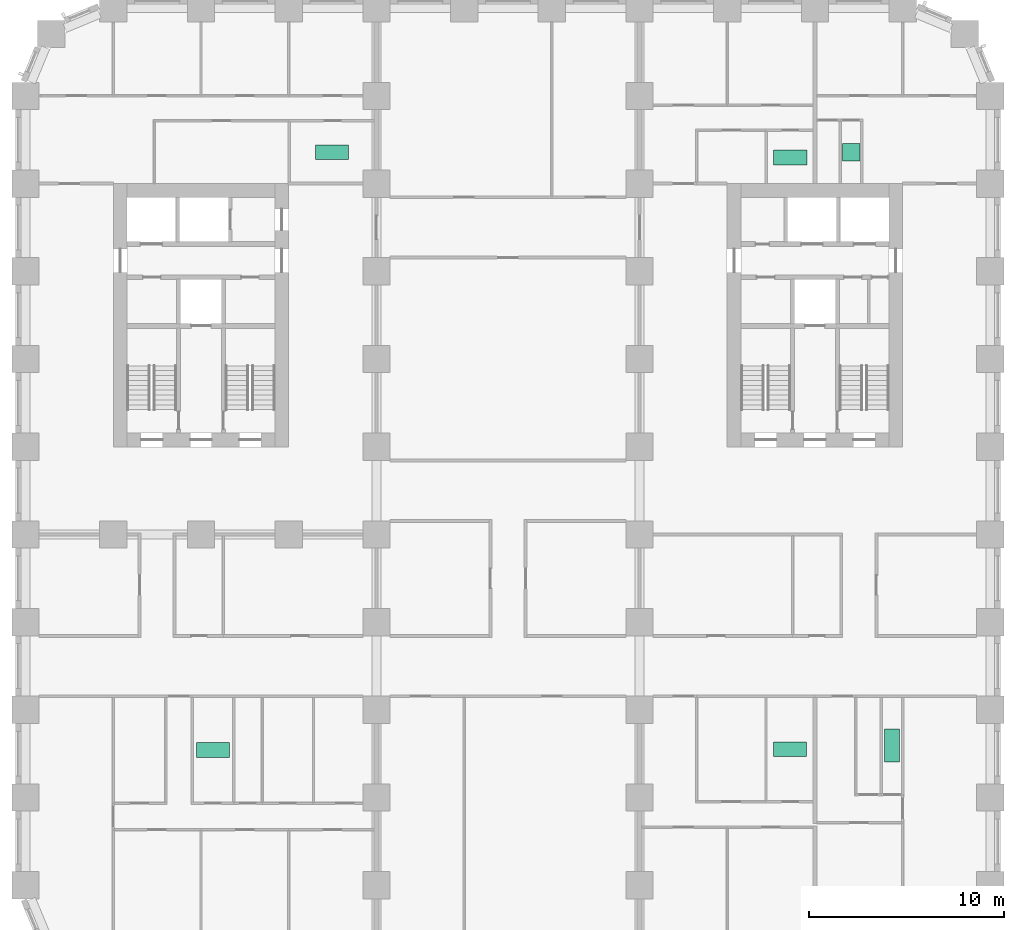
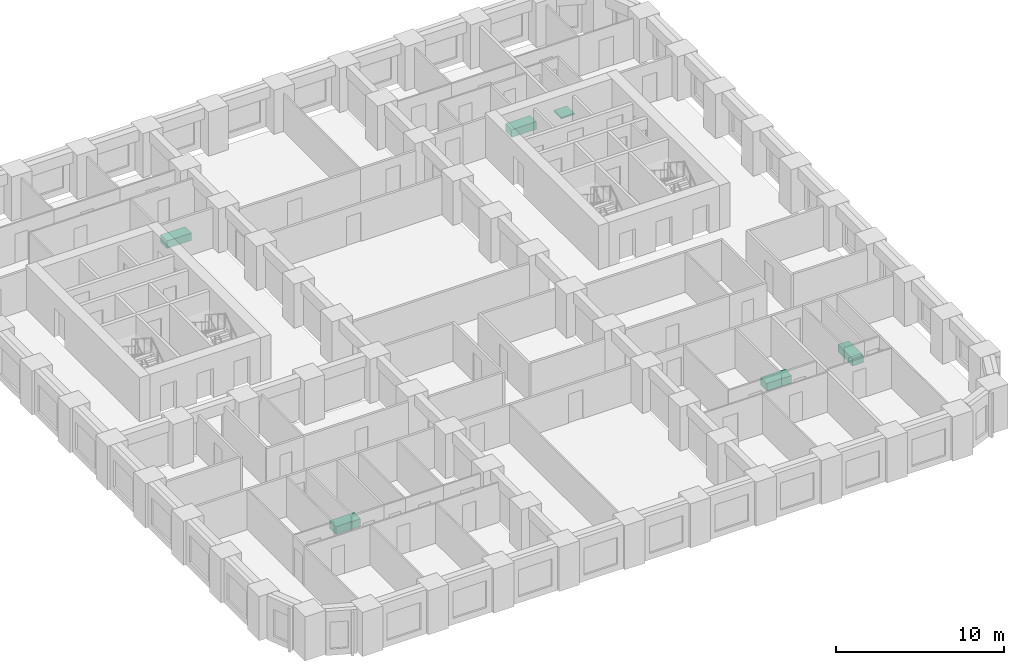
# One storey, part 12 of 12: 6 sanitary terminals.
"""IFC4 building model written with IfcOpenShell, lengths in metres."""

from ifc_helpers import new_model, si_unit, direction, frame, origin, origin_2d, place, context, subcontext, project, spatial, rectangle, extrude, material, type_object, element, save


model = new_model("IFC4")

# Units and contexts
model_context = context("Model", 3, precision=1e-05, world=origin(), true_north=direction((0.0, 1.0)))
body_context = subcontext(model_context, "Body", "Model", "MODEL_VIEW")
ifc_project = project(units=[si_unit("LENGTHUNIT", "METRE"), si_unit("AREAUNIT", "SQUARE_METRE"), si_unit("VOLUMEUNIT", "CUBIC_METRE"), si_unit("PLANEANGLEUNIT", "RADIAN"), si_unit("MASSUNIT", "GRAM", prefix="KILO")], contexts=[model_context])

# Site, building, storey
site_placement = place(None, origin())
site = spatial("IfcSite", under=ifc_project, at=site_placement, CompositionType="ELEMENT")
building_placement = place(site_placement, origin())
building = spatial("IfcBuilding", under=site, at=building_placement, Name="Girih Gate Residences", CompositionType="ELEMENT")
storey_placement = place(building_placement, frame((0.0, 0.0, 65.60009765625)))
storey = spatial("IfcBuildingStorey", under=building, at=storey_placement, Name="L17", CompositionType="ELEMENT", Elevation=65.60009765625)

# Sanitary terminals
ifc_material = material(Name="Acrylic")
sanitary_terminal_type_1 = type_object("IfcSanitaryTerminalType", Name="Bath 1700", PredefinedType="BATH", material=ifc_material)
for number, where, z_axis, x_axis, name in (
    (1, (9.616943359375, 11.444091796875, 0.0), (0.0, 0.0, 1.0), (1.0, 0.0, 0.0), "Bath 1700 L17"),
    (2, (15.72802734375, 42.115966796875, 0.0), (0.0, 0.0, 1.0), (1.0, 0.0, 0.0), "Bath 1700 L17"),
):
    element("IfcSanitaryTerminal", number, at=place(storey_placement, frame(where, z_axis=z_axis, x_axis=x_axis)), inside=storey, type_object=sanitary_terminal_type_1, Name=name, PredefinedType="BATH", context=body_context, shape_type="SweptSolid", body=[
        extrude(rectangle(XDim=1.699951171875, YDim=0.75, at=origin_2d()), origin(), (0.0, 0.0, 1.0), 0.550048828125),
    ])
sanitary_terminal_1_placement = place(storey_placement, frame((44.4541015625, 11.6640625, 0.0), z_axis=(0.0, 0.0, 1.0), x_axis=(1.0, 0.0, 0.0)))
element("IfcSanitaryTerminal", 3, at=sanitary_terminal_1_placement, inside=storey, type_object=sanitary_terminal_type_1, Name="Bath 1700 L17", PredefinedType="BATH", context=body_context, shape_type="SweptSolid", body=[
    extrude(rectangle(XDim=0.75, YDim=1.699951171875, at=origin_2d()), origin(), (0.0, 0.0, 1.0), 0.550048828125),
])
for number, where, z_axis, x_axis, name in (
    (4, (39.22509765625, 11.48388671875, 0.0), (0.0, 0.0, 1.0), (1.0, 0.0, 0.0), "Bath 1700 L17"),
    (5, (39.23095703125, 41.843994140625, 0.0), (0.0, 0.0, 1.0), (1.0, 0.0, 0.0), "Bath 1700 L17"),
):
    element("IfcSanitaryTerminal", number, at=place(storey_placement, frame(where, z_axis=z_axis, x_axis=x_axis)), inside=storey, type_object=sanitary_terminal_type_1, Name=name, PredefinedType="BATH", context=body_context, shape_type="SweptSolid", body=[
        extrude(rectangle(XDim=1.699951171875, YDim=0.75, at=origin_2d()), origin(), (0.0, 0.0, 1.0), 0.550048828125),
    ])
sanitary_terminal_type_2 = type_object("IfcSanitaryTerminalType", Name="Shower tray 900", PredefinedType="SHOWER", material=ifc_material)
sanitary_terminal_2_placement = place(storey_placement, frame((42.35498046875, 42.09912109375, -0.000244140625), z_axis=(0.0, 0.0, 1.0), x_axis=(1.0, 0.0, 0.0)))
element("IfcSanitaryTerminal", 6, at=sanitary_terminal_2_placement, inside=storey, type_object=sanitary_terminal_type_2, Name="Shower tray 900 L17", PredefinedType="SHOWER", context=body_context, shape_type="SweptSolid", body=[
    extrude(rectangle(XDim=0.89990234375, YDim=0.89990234375, at=origin_2d()), origin(), (0.0, 0.0, 1.0), 0.10009765625),
])

save(model, "model.ifc")
